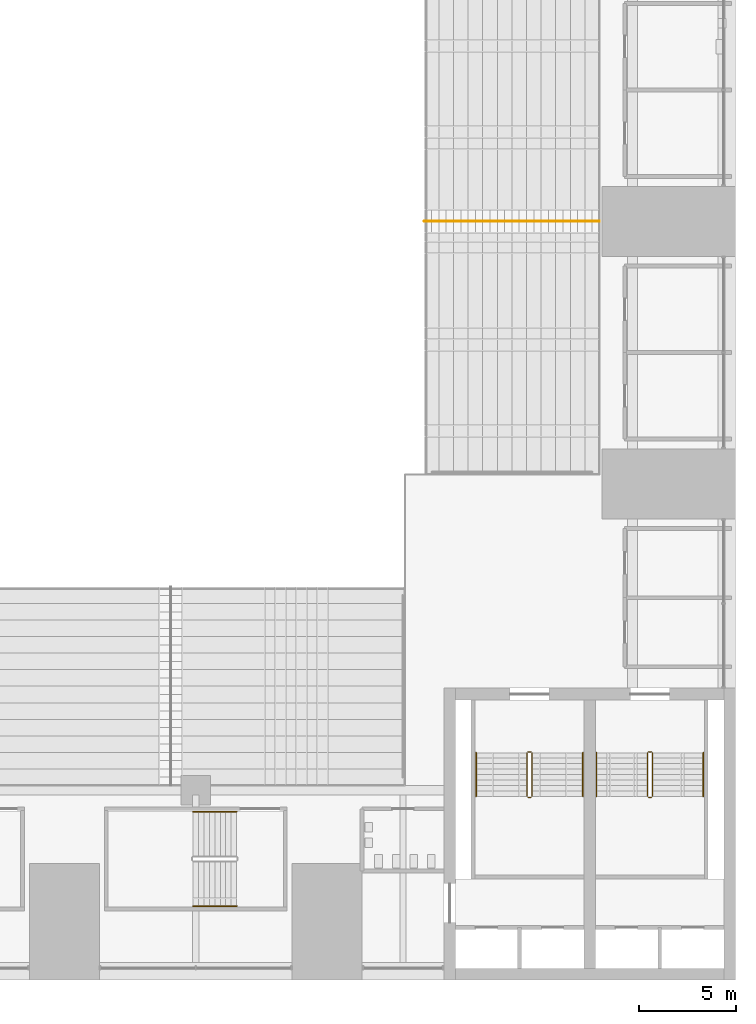
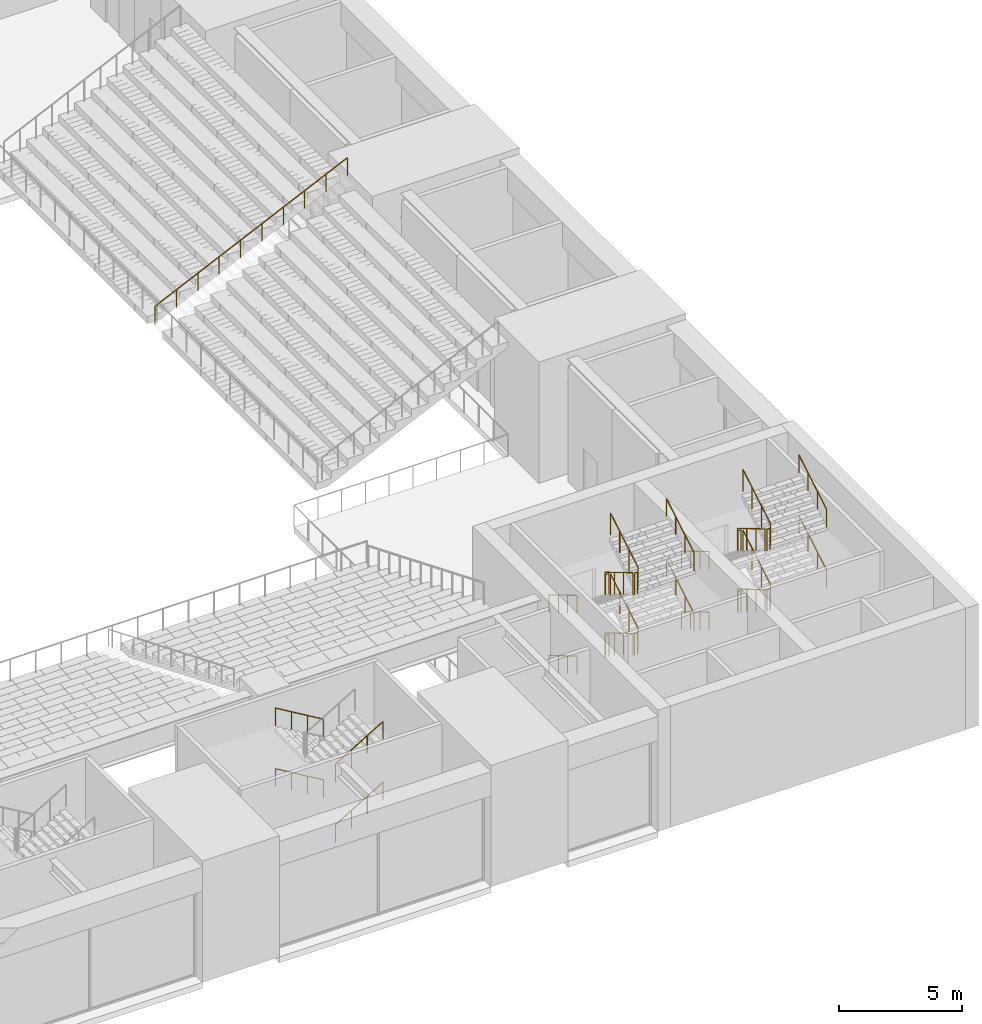
# One storey, part 57 of 61: 6 railings.
"""IFC4 building model written with IfcOpenShell, lengths in metres."""

from ifc_helpers import new_model, si_unit, direction, frame, origin, origin_2d, place, context, subcontext, project, spatial, circle, extrude, material, type_object, element, save


model = new_model("IFC4")

# Units and contexts
model_context = context("Model", 3, precision=1e-05, world=origin(), true_north=direction((0.0, 1.0)))
body_context = subcontext(model_context, "Body", "Model", "MODEL_VIEW")
ifc_project = project(units=[si_unit("LENGTHUNIT", "METRE"), si_unit("AREAUNIT", "SQUARE_METRE"), si_unit("VOLUMEUNIT", "CUBIC_METRE"), si_unit("PLANEANGLEUNIT", "RADIAN"), si_unit("MASSUNIT", "GRAM", prefix="KILO")], contexts=[model_context])

# Site, building, storey
site_placement = place(None, origin())
site = spatial("IfcSite", under=ifc_project, at=site_placement, CompositionType="ELEMENT")
building_placement = place(site_placement, origin())
building = spatial("IfcBuilding", under=site, at=building_placement, Name="Corbelhall Arena Tower", CompositionType="ELEMENT")
storey_placement = place(building_placement, frame((0.0, 0.0, 31.0)))
storey = spatial("IfcBuildingStorey", under=building, at=storey_placement, Name="L04", CompositionType="ELEMENT", Elevation=31.0)

# Railings
ifc_material = material(Name="Stainless steel A4", Category="steel")
railing_type_1 = type_object("IfcRailingType", Name="AR-HANDRAIL-AISLE", PredefinedType="HANDRAIL", material=ifc_material)
railing_1_placement = place(storey_placement, frame((32.0, 0.0, 1.800048828125)))
element("IfcRailing", 1, at=railing_1_placement, inside=storey, type_object=railing_type_1, Name="Aisle handrails UE", PredefinedType="HANDRAIL", context=body_context, shape_type="SweptSolid", body=[
    extrude(circle(Radius=0.02392578125, at=origin_2d()), frame((0.0, 0.0, 0.8759765625), z_axis=(0.906185023996, 0.0, 0.422881428163), x_axis=(0.0, 1.0, 0.0)), (0.0, 0.0, 1.0), 9.931640625),
    extrude(circle(Radius=0.02099609375, at=origin_2d()), origin(), (0.0, 0.0, 1.0), 0.851806640625),
    extrude(circle(Radius=0.02099609375, at=origin_2d()), frame((1.0, 0.0, 0.466552734375)), (0.0, 0.0, 1.0), 0.851806640625),
    extrude(circle(Radius=0.02099609375, at=origin_2d()), frame((2.0, 0.0, 0.933349609375)), (0.0, 0.0, 1.0), 0.851806640625),
    extrude(circle(Radius=0.02099609375, at=origin_2d()), frame((3.0, 0.0, 1.39990234375)), (0.0, 0.0, 1.0), 0.851806640625),
    extrude(circle(Radius=0.02099609375, at=origin_2d()), frame((4.0, 0.0, 1.86669921875)), (0.0, 0.0, 1.0), 0.851806640625),
    extrude(circle(Radius=0.02099609375, at=origin_2d()), frame((5.0, 0.0, 2.333251953125)), (0.0, 0.0, 1.0), 0.851806640625),
    extrude(circle(Radius=0.02099609375, at=origin_2d()), frame((6.0, 0.0, 2.800048828125)), (0.0, 0.0, 1.0), 0.851806640625),
    extrude(circle(Radius=0.02099609375, at=origin_2d()), frame((7.0, 0.0, 3.2666015625)), (0.0, 0.0, 1.0), 0.851806640625),
    extrude(circle(Radius=0.02099609375, at=origin_2d()), frame((8.0, 0.0, 3.7333984375)), (0.0, 0.0, 1.0), 0.851806640625),
    extrude(circle(Radius=0.02099609375, at=origin_2d()), frame((9.0, 0.0, 4.199951171875)), (0.0, 0.0, 1.0), 0.851806640625),
])
railing_type_2 = type_object("IfcRailingType", Name="AR-STAIR-GUARD", PredefinedType="GUARDRAIL", material=ifc_material)
railing_2_placement = place(storey_placement, frame((37.280029296875, -27.320068359375, 0.166748046875)))
element("IfcRailing", 2, at=railing_2_placement, inside=storey, type_object=railing_type_2, Name="L04 AS5 stair guards", PredefinedType="GUARDRAIL", context=body_context, shape_type="SweptSolid", body=[
    extrude(circle(Radius=0.02392578125, at=origin_2d()), frame((0.0, 0.0, 1.076171875), z_axis=(0.0, -0.859305625298, 0.511462454469), x_axis=(1.0, 0.0, 0.0)), (0.0, 0.0, 1.0), 2.606689453125),
    extrude(circle(Radius=0.02392578125, at=origin_2d()), frame((0.050048828125, -2.2900390625, 2.4091796875), z_axis=(1.0, 0.0, 0.0), x_axis=(0.0, 1.0, 0.0)), (0.0, 0.0, 1.0), 0.14990234375),
    extrude(circle(Radius=0.02392578125, at=origin_2d()), frame((0.25, -2.239990234375, 2.576171875), z_axis=(0.0, 0.859305625298, 0.511462454469), x_axis=(-1.0, 0.0, 0.0)), (0.0, 0.0, 1.0), 2.606689453125),
    extrude(circle(Radius=0.02392578125, at=origin_2d()), frame((0.050048828125, 0.050048828125, 3.9091796875), z_axis=(1.0, 0.0, 0.0), x_axis=(0.0, 1.0, 0.0)), (0.0, 0.0, 1.0), 0.14990234375),
    extrude(circle(Radius=0.02392578125, at=origin_2d()), frame((0.0, 0.0, 4.076171875), z_axis=(0.0, -0.859305625298, 0.511462454469), x_axis=(1.0, 0.0, 0.0)), (0.0, 0.0, 1.0), 2.606689453125),
    extrude(circle(Radius=0.02392578125, at=origin_2d()), frame((0.050048828125, -2.2900390625, 5.4091796875), z_axis=(1.0, 0.0, 0.0), x_axis=(0.0, 1.0, 0.0)), (0.0, 0.0, 1.0), 0.14990234375),
    extrude(circle(Radius=0.02392578125, at=origin_2d()), frame((0.25, -2.239990234375, 5.576171875), z_axis=(0.0, 0.859305625298, 0.511462454469), x_axis=(-1.0, 0.0, 0.0)), (0.0, 0.0, 1.0), 2.606689453125),
    extrude(circle(Radius=0.02392578125, at=origin_2d()), frame((0.050048828125, 0.050048828125, 0.9091796875), z_axis=(1.0, 0.0, 0.0), x_axis=(0.0, 1.0, 0.0)), (0.0, 0.0, 1.0), 0.14990234375),
    extrude(circle(Radius=0.02099609375, at=origin_2d()), origin(), (0.0, 0.0, 1.0), 1.052001953125),
    extrude(circle(Radius=0.02099609375, at=origin_2d()), frame((0.0, -0.74658203125, 0.4443359375)), (0.0, 0.0, 1.0), 1.052001953125),
    extrude(circle(Radius=0.02099609375, at=origin_2d()), frame((0.0, -1.493408203125, 0.888916015625)), (0.0, 0.0, 1.0), 1.052001953125),
    extrude(circle(Radius=0.02099609375, at=origin_2d()), frame((0.0, -2.239990234375, 1.333251953125)), (0.0, 0.0, 1.0), 1.052001953125),
    extrude(circle(Radius=0.02099609375, at=origin_2d()), frame((0.050048828125, -2.2900390625, 1.333251953125)), (0.0, 0.0, 1.0), 1.052001953125),
    extrude(circle(Radius=0.02099609375, at=origin_2d()), frame((0.199951171875, -2.2900390625, 1.333251953125)), (0.0, 0.0, 1.0), 1.052001953125),
    extrude(circle(Radius=0.02099609375, at=origin_2d()), frame((0.25, -2.239990234375, 1.5)), (0.0, 0.0, 1.0), 1.052001953125),
    extrude(circle(Radius=0.02099609375, at=origin_2d()), frame((0.25, -1.493408203125, 1.9443359375)), (0.0, 0.0, 1.0), 1.052001953125),
    extrude(circle(Radius=0.02099609375, at=origin_2d()), frame((0.25, -0.74658203125, 2.388916015625)), (0.0, 0.0, 1.0), 1.052001953125),
    extrude(circle(Radius=0.02099609375, at=origin_2d()), frame((0.25, 0.0, 2.833251953125)), (0.0, 0.0, 1.0), 1.052001953125),
    extrude(circle(Radius=0.02099609375, at=origin_2d()), frame((0.050048828125, 0.050048828125, 2.833251953125)), (0.0, 0.0, 1.0), 1.052001953125),
    extrude(circle(Radius=0.02099609375, at=origin_2d()), frame((0.199951171875, 0.050048828125, 2.833251953125)), (0.0, 0.0, 1.0), 1.052001953125),
    extrude(circle(Radius=0.02099609375, at=origin_2d()), frame((0.0, 0.0, 3.0)), (0.0, 0.0, 1.0), 1.052001953125),
    extrude(circle(Radius=0.02099609375, at=origin_2d()), frame((0.0, -0.74658203125, 3.4443359375)), (0.0, 0.0, 1.0), 1.052001953125),
    extrude(circle(Radius=0.02099609375, at=origin_2d()), frame((0.0, -1.493408203125, 3.888916015625)), (0.0, 0.0, 1.0), 1.052001953125),
    extrude(circle(Radius=0.02099609375, at=origin_2d()), frame((0.0, -2.239990234375, 4.333251953125)), (0.0, 0.0, 1.0), 1.052001953125),
    extrude(circle(Radius=0.02099609375, at=origin_2d()), frame((0.050048828125, -2.2900390625, 4.333251953125)), (0.0, 0.0, 1.0), 1.052001953125),
    extrude(circle(Radius=0.02099609375, at=origin_2d()), frame((0.199951171875, -2.2900390625, 4.333251953125)), (0.0, 0.0, 1.0), 1.052001953125),
    extrude(circle(Radius=0.02099609375, at=origin_2d()), frame((0.25, -2.239990234375, 4.5)), (0.0, 0.0, 1.0), 1.052001953125),
    extrude(circle(Radius=0.02099609375, at=origin_2d()), frame((0.25, -1.493408203125, 4.9443359375)), (0.0, 0.0, 1.0), 1.052001953125),
    extrude(circle(Radius=0.02099609375, at=origin_2d()), frame((0.25, -0.74658203125, 5.388916015625)), (0.0, 0.0, 1.0), 1.052001953125),
    extrude(circle(Radius=0.02099609375, at=origin_2d()), frame((0.25, 0.0, 5.833251953125)), (0.0, 0.0, 1.0), 1.052001953125),
    extrude(circle(Radius=0.02099609375, at=origin_2d()), frame((0.050048828125, 0.050048828125, -0.166748046875)), (0.0, 0.0, 1.0), 1.052001953125),
    extrude(circle(Radius=0.02099609375, at=origin_2d()), frame((0.199951171875, 0.050048828125, -0.166748046875)), (0.0, 0.0, 1.0), 1.052001953125),
])
railing_3_placement = place(storey_placement, frame((43.469970703125, -27.320068359375, 0.166748046875)))
element("IfcRailing", 3, at=railing_3_placement, inside=storey, type_object=railing_type_2, Name="L04 AS6 stair guards", PredefinedType="GUARDRAIL", context=body_context, shape_type="SweptSolid", body=[
    extrude(circle(Radius=0.02392578125, at=origin_2d()), frame((0.0, 0.0, 1.076171875), z_axis=(0.0, -0.859305625298, 0.511462454469), x_axis=(1.0, 0.0, 0.0)), (0.0, 0.0, 1.0), 2.606689453125),
    extrude(circle(Radius=0.02392578125, at=origin_2d()), frame((0.050048828125, -2.2900390625, 2.4091796875), z_axis=(1.0, 0.0, 0.0), x_axis=(0.0, 1.0, 0.0)), (0.0, 0.0, 1.0), 0.14990234375),
    extrude(circle(Radius=0.02392578125, at=origin_2d()), frame((0.25, -2.239990234375, 2.576171875), z_axis=(0.0, 0.859305625298, 0.511462454469), x_axis=(-1.0, 0.0, 0.0)), (0.0, 0.0, 1.0), 2.606689453125),
    extrude(circle(Radius=0.02392578125, at=origin_2d()), frame((0.050048828125, 0.050048828125, 3.9091796875), z_axis=(1.0, 0.0, 0.0), x_axis=(0.0, 1.0, 0.0)), (0.0, 0.0, 1.0), 0.14990234375),
    extrude(circle(Radius=0.02392578125, at=origin_2d()), frame((0.0, 0.0, 4.076171875), z_axis=(0.0, -0.859305625298, 0.511462454469), x_axis=(1.0, 0.0, 0.0)), (0.0, 0.0, 1.0), 2.606689453125),
    extrude(circle(Radius=0.02392578125, at=origin_2d()), frame((0.050048828125, -2.2900390625, 5.4091796875), z_axis=(1.0, 0.0, 0.0), x_axis=(0.0, 1.0, 0.0)), (0.0, 0.0, 1.0), 0.14990234375),
    extrude(circle(Radius=0.02392578125, at=origin_2d()), frame((0.25, -2.239990234375, 5.576171875), z_axis=(0.0, 0.859305625298, 0.511462454469), x_axis=(-1.0, 0.0, 0.0)), (0.0, 0.0, 1.0), 2.606689453125),
    extrude(circle(Radius=0.02392578125, at=origin_2d()), frame((0.050048828125, 0.050048828125, 0.9091796875), z_axis=(1.0, 0.0, 0.0), x_axis=(0.0, 1.0, 0.0)), (0.0, 0.0, 1.0), 0.14990234375),
    extrude(circle(Radius=0.02099609375, at=origin_2d()), origin(), (0.0, 0.0, 1.0), 1.052001953125),
    extrude(circle(Radius=0.02099609375, at=origin_2d()), frame((0.0, -0.74658203125, 0.4443359375)), (0.0, 0.0, 1.0), 1.052001953125),
    extrude(circle(Radius=0.02099609375, at=origin_2d()), frame((0.0, -1.493408203125, 0.888916015625)), (0.0, 0.0, 1.0), 1.052001953125),
    extrude(circle(Radius=0.02099609375, at=origin_2d()), frame((0.0, -2.239990234375, 1.333251953125)), (0.0, 0.0, 1.0), 1.052001953125),
    extrude(circle(Radius=0.02099609375, at=origin_2d()), frame((0.050048828125, -2.2900390625, 1.333251953125)), (0.0, 0.0, 1.0), 1.052001953125),
    extrude(circle(Radius=0.02099609375, at=origin_2d()), frame((0.199951171875, -2.2900390625, 1.333251953125)), (0.0, 0.0, 1.0), 1.052001953125),
    extrude(circle(Radius=0.02099609375, at=origin_2d()), frame((0.25, -2.239990234375, 1.5)), (0.0, 0.0, 1.0), 1.052001953125),
    extrude(circle(Radius=0.02099609375, at=origin_2d()), frame((0.25, -1.493408203125, 1.9443359375)), (0.0, 0.0, 1.0), 1.052001953125),
    extrude(circle(Radius=0.02099609375, at=origin_2d()), frame((0.25, -0.74658203125, 2.388916015625)), (0.0, 0.0, 1.0), 1.052001953125),
    extrude(circle(Radius=0.02099609375, at=origin_2d()), frame((0.25, 0.0, 2.833251953125)), (0.0, 0.0, 1.0), 1.052001953125),
    extrude(circle(Radius=0.02099609375, at=origin_2d()), frame((0.050048828125, 0.050048828125, 2.833251953125)), (0.0, 0.0, 1.0), 1.052001953125),
    extrude(circle(Radius=0.02099609375, at=origin_2d()), frame((0.199951171875, 0.050048828125, 2.833251953125)), (0.0, 0.0, 1.0), 1.052001953125),
    extrude(circle(Radius=0.02099609375, at=origin_2d()), frame((0.0, 0.0, 3.0)), (0.0, 0.0, 1.0), 1.052001953125),
    extrude(circle(Radius=0.02099609375, at=origin_2d()), frame((0.0, -0.74658203125, 3.4443359375)), (0.0, 0.0, 1.0), 1.052001953125),
    extrude(circle(Radius=0.02099609375, at=origin_2d()), frame((0.0, -1.493408203125, 3.888916015625)), (0.0, 0.0, 1.0), 1.052001953125),
    extrude(circle(Radius=0.02099609375, at=origin_2d()), frame((0.0, -2.239990234375, 4.333251953125)), (0.0, 0.0, 1.0), 1.052001953125),
    extrude(circle(Radius=0.02099609375, at=origin_2d()), frame((0.050048828125, -2.2900390625, 4.333251953125)), (0.0, 0.0, 1.0), 1.052001953125),
    extrude(circle(Radius=0.02099609375, at=origin_2d()), frame((0.199951171875, -2.2900390625, 4.333251953125)), (0.0, 0.0, 1.0), 1.052001953125),
    extrude(circle(Radius=0.02099609375, at=origin_2d()), frame((0.25, -2.239990234375, 4.5)), (0.0, 0.0, 1.0), 1.052001953125),
    extrude(circle(Radius=0.02099609375, at=origin_2d()), frame((0.25, -1.493408203125, 4.9443359375)), (0.0, 0.0, 1.0), 1.052001953125),
    extrude(circle(Radius=0.02099609375, at=origin_2d()), frame((0.25, -0.74658203125, 5.388916015625)), (0.0, 0.0, 1.0), 1.052001953125),
    extrude(circle(Radius=0.02099609375, at=origin_2d()), frame((0.25, 0.0, 5.833251953125)), (0.0, 0.0, 1.0), 1.052001953125),
    extrude(circle(Radius=0.02099609375, at=origin_2d()), frame((0.050048828125, 0.050048828125, -0.166748046875)), (0.0, 0.0, 1.0), 1.052001953125),
    extrude(circle(Radius=0.02099609375, at=origin_2d()), frame((0.199951171875, 0.050048828125, -0.166748046875)), (0.0, 0.0, 1.0), 1.052001953125),
])
railing_type_3 = type_object("IfcRailingType", Name="AR-STAIR-HANDRAIL", PredefinedType="HANDRAIL", material=ifc_material)
railing_4_placement = place(storey_placement, frame((22.35009765625, -30.35009765625, 0.166748046875)))
element("IfcRailing", 4, at=railing_4_placement, inside=storey, type_object=railing_type_3, Name="L04 AS16 stair handrails", PredefinedType="HANDRAIL", context=body_context, shape_type="SweptSolid", body=[
    extrude(circle(Radius=0.02392578125, at=origin_2d()), frame((0.0, 0.0, 0.8759765625), z_axis=(-0.859305625298, 0.0, 0.511462454469), x_axis=(0.0, -1.0, 0.0)), (0.0, 0.0, 1.0), 2.606689453125),
    extrude(circle(Radius=0.02392578125, at=origin_2d()), frame((-2.239990234375, -4.849853515625, 2.3759765625), z_axis=(0.859305625298, 0.0, 0.511462454469), x_axis=(0.0, 1.0, 0.0)), (0.0, 0.0, 1.0), 2.606689453125),
    extrude(circle(Radius=0.02392578125, at=origin_2d()), frame((0.0, 0.0, 3.8759765625), z_axis=(-0.859305625298, 0.0, 0.511462454469), x_axis=(0.0, -1.0, 0.0)), (0.0, 0.0, 1.0), 2.606689453125),
    extrude(circle(Radius=0.02392578125, at=origin_2d()), frame((-2.239990234375, -4.849853515625, 5.3759765625), z_axis=(0.859305625298, 0.0, 0.511462454469), x_axis=(0.0, 1.0, 0.0)), (0.0, 0.0, 1.0), 2.606689453125),
    extrude(circle(Radius=0.02099609375, at=origin_2d()), origin(), (0.0, 0.0, 1.0), 0.851806640625),
    extrude(circle(Radius=0.02099609375, at=origin_2d()), frame((-0.74658203125, 0.0, 0.4443359375)), (0.0, 0.0, 1.0), 0.851806640625),
    extrude(circle(Radius=0.02099609375, at=origin_2d()), frame((-1.493408203125, 0.0, 0.888916015625)), (0.0, 0.0, 1.0), 0.851806640625),
    extrude(circle(Radius=0.02099609375, at=origin_2d()), frame((-2.239990234375, 0.0, 1.333251953125)), (0.0, 0.0, 1.0), 0.851806640625),
    extrude(circle(Radius=0.02099609375, at=origin_2d()), frame((-2.239990234375, -4.849853515625, 1.5)), (0.0, 0.0, 1.0), 0.851806640625),
    extrude(circle(Radius=0.02099609375, at=origin_2d()), frame((-1.493408203125, -4.849853515625, 1.9443359375)), (0.0, 0.0, 1.0), 0.851806640625),
    extrude(circle(Radius=0.02099609375, at=origin_2d()), frame((-0.74658203125, -4.849853515625, 2.388916015625)), (0.0, 0.0, 1.0), 0.851806640625),
    extrude(circle(Radius=0.02099609375, at=origin_2d()), frame((0.0, -4.849853515625, 2.833251953125)), (0.0, 0.0, 1.0), 0.851806640625),
    extrude(circle(Radius=0.02099609375, at=origin_2d()), frame((0.0, 0.0, 3.0)), (0.0, 0.0, 1.0), 0.851806640625),
    extrude(circle(Radius=0.02099609375, at=origin_2d()), frame((-0.74658203125, 0.0, 3.4443359375)), (0.0, 0.0, 1.0), 0.851806640625),
    extrude(circle(Radius=0.02099609375, at=origin_2d()), frame((-1.493408203125, 0.0, 3.888916015625)), (0.0, 0.0, 1.0), 0.851806640625),
    extrude(circle(Radius=0.02099609375, at=origin_2d()), frame((-2.239990234375, 0.0, 4.333251953125)), (0.0, 0.0, 1.0), 0.851806640625),
    extrude(circle(Radius=0.02099609375, at=origin_2d()), frame((-2.239990234375, -4.849853515625, 4.5)), (0.0, 0.0, 1.0), 0.851806640625),
    extrude(circle(Radius=0.02099609375, at=origin_2d()), frame((-1.493408203125, -4.849853515625, 4.9443359375)), (0.0, 0.0, 1.0), 0.851806640625),
    extrude(circle(Radius=0.02099609375, at=origin_2d()), frame((-0.74658203125, -4.849853515625, 5.388916015625)), (0.0, 0.0, 1.0), 0.851806640625),
    extrude(circle(Radius=0.02099609375, at=origin_2d()), frame((0.0, -4.849853515625, 5.833251953125)), (0.0, 0.0, 1.0), 0.851806640625),
])
railing_5_placement = place(storey_placement, frame((34.659912109375, -27.320068359375, 0.166748046875)))
element("IfcRailing", 5, at=railing_5_placement, inside=storey, type_object=railing_type_3, Name="L04 AS5 stair handrails", PredefinedType="HANDRAIL", context=body_context, shape_type="SweptSolid", body=[
    extrude(circle(Radius=0.02392578125, at=origin_2d()), frame((0.0, 0.0, 0.8759765625), z_axis=(0.0, -0.859305625298, 0.511462454469), x_axis=(1.0, 0.0, 0.0)), (0.0, 0.0, 1.0), 2.606689453125),
    extrude(circle(Radius=0.02392578125, at=origin_2d()), frame((5.489990234375, -2.239990234375, 2.3759765625), z_axis=(0.0, 0.859305625298, 0.511462454469), x_axis=(-1.0, 0.0, 0.0)), (0.0, 0.0, 1.0), 2.606689453125),
    extrude(circle(Radius=0.02392578125, at=origin_2d()), frame((0.0, 0.0, 3.8759765625), z_axis=(0.0, -0.859305625298, 0.511462454469), x_axis=(1.0, 0.0, 0.0)), (0.0, 0.0, 1.0), 2.606689453125),
    extrude(circle(Radius=0.02392578125, at=origin_2d()), frame((5.489990234375, -2.239990234375, 5.3759765625), z_axis=(0.0, 0.859305625298, 0.511462454469), x_axis=(-1.0, 0.0, 0.0)), (0.0, 0.0, 1.0), 2.606689453125),
    extrude(circle(Radius=0.02099609375, at=origin_2d()), origin(), (0.0, 0.0, 1.0), 0.851806640625),
    extrude(circle(Radius=0.02099609375, at=origin_2d()), frame((0.0, -0.74658203125, 0.4443359375)), (0.0, 0.0, 1.0), 0.851806640625),
    extrude(circle(Radius=0.02099609375, at=origin_2d()), frame((0.0, -1.493408203125, 0.888916015625)), (0.0, 0.0, 1.0), 0.851806640625),
    extrude(circle(Radius=0.02099609375, at=origin_2d()), frame((0.0, -2.239990234375, 1.333251953125)), (0.0, 0.0, 1.0), 0.851806640625),
    extrude(circle(Radius=0.02099609375, at=origin_2d()), frame((5.489990234375, -2.239990234375, 1.5)), (0.0, 0.0, 1.0), 0.851806640625),
    extrude(circle(Radius=0.02099609375, at=origin_2d()), frame((5.489990234375, -1.493408203125, 1.9443359375)), (0.0, 0.0, 1.0), 0.851806640625),
    extrude(circle(Radius=0.02099609375, at=origin_2d()), frame((5.489990234375, -0.74658203125, 2.388916015625)), (0.0, 0.0, 1.0), 0.851806640625),
    extrude(circle(Radius=0.02099609375, at=origin_2d()), frame((5.489990234375, 0.0, 2.833251953125)), (0.0, 0.0, 1.0), 0.851806640625),
    extrude(circle(Radius=0.02099609375, at=origin_2d()), frame((0.0, 0.0, 3.0)), (0.0, 0.0, 1.0), 0.851806640625),
    extrude(circle(Radius=0.02099609375, at=origin_2d()), frame((0.0, -0.74658203125, 3.4443359375)), (0.0, 0.0, 1.0), 0.851806640625),
    extrude(circle(Radius=0.02099609375, at=origin_2d()), frame((0.0, -1.493408203125, 3.888916015625)), (0.0, 0.0, 1.0), 0.851806640625),
    extrude(circle(Radius=0.02099609375, at=origin_2d()), frame((0.0, -2.239990234375, 4.333251953125)), (0.0, 0.0, 1.0), 0.851806640625),
    extrude(circle(Radius=0.02099609375, at=origin_2d()), frame((5.489990234375, -2.239990234375, 4.5)), (0.0, 0.0, 1.0), 0.851806640625),
    extrude(circle(Radius=0.02099609375, at=origin_2d()), frame((5.489990234375, -1.493408203125, 4.9443359375)), (0.0, 0.0, 1.0), 0.851806640625),
    extrude(circle(Radius=0.02099609375, at=origin_2d()), frame((5.489990234375, -0.74658203125, 5.388916015625)), (0.0, 0.0, 1.0), 0.851806640625),
    extrude(circle(Radius=0.02099609375, at=origin_2d()), frame((5.489990234375, 0.0, 5.833251953125)), (0.0, 0.0, 1.0), 0.851806640625),
])
railing_6_placement = place(storey_placement, frame((40.85009765625, -27.320068359375, 0.166748046875)))
element("IfcRailing", 6, at=railing_6_placement, inside=storey, type_object=railing_type_3, Name="L04 AS6 stair handrails", PredefinedType="HANDRAIL", context=body_context, shape_type="SweptSolid", body=[
    extrude(circle(Radius=0.02392578125, at=origin_2d()), frame((0.0, 0.0, 0.8759765625), z_axis=(0.0, -0.859305625298, 0.511462454469), x_axis=(1.0, 0.0, 0.0)), (0.0, 0.0, 1.0), 2.606689453125),
    extrude(circle(Radius=0.02392578125, at=origin_2d()), frame((5.489990234375, -2.239990234375, 2.3759765625), z_axis=(0.0, 0.859305625298, 0.511462454469), x_axis=(-1.0, 0.0, 0.0)), (0.0, 0.0, 1.0), 2.606689453125),
    extrude(circle(Radius=0.02392578125, at=origin_2d()), frame((0.0, 0.0, 3.8759765625), z_axis=(0.0, -0.859305625298, 0.511462454469), x_axis=(1.0, 0.0, 0.0)), (0.0, 0.0, 1.0), 2.606689453125),
    extrude(circle(Radius=0.02392578125, at=origin_2d()), frame((5.489990234375, -2.239990234375, 5.3759765625), z_axis=(0.0, 0.859305625298, 0.511462454469), x_axis=(-1.0, 0.0, 0.0)), (0.0, 0.0, 1.0), 2.606689453125),
    extrude(circle(Radius=0.02099609375, at=origin_2d()), origin(), (0.0, 0.0, 1.0), 0.851806640625),
    extrude(circle(Radius=0.02099609375, at=origin_2d()), frame((0.0, -0.74658203125, 0.4443359375)), (0.0, 0.0, 1.0), 0.851806640625),
    extrude(circle(Radius=0.02099609375, at=origin_2d()), frame((0.0, -1.493408203125, 0.888916015625)), (0.0, 0.0, 1.0), 0.851806640625),
    extrude(circle(Radius=0.02099609375, at=origin_2d()), frame((0.0, -2.239990234375, 1.333251953125)), (0.0, 0.0, 1.0), 0.851806640625),
    extrude(circle(Radius=0.02099609375, at=origin_2d()), frame((5.489990234375, -2.239990234375, 1.5)), (0.0, 0.0, 1.0), 0.851806640625),
    extrude(circle(Radius=0.02099609375, at=origin_2d()), frame((5.489990234375, -1.493408203125, 1.9443359375)), (0.0, 0.0, 1.0), 0.851806640625),
    extrude(circle(Radius=0.02099609375, at=origin_2d()), frame((5.489990234375, -0.74658203125, 2.388916015625)), (0.0, 0.0, 1.0), 0.851806640625),
    extrude(circle(Radius=0.02099609375, at=origin_2d()), frame((5.489990234375, 0.0, 2.833251953125)), (0.0, 0.0, 1.0), 0.851806640625),
    extrude(circle(Radius=0.02099609375, at=origin_2d()), frame((0.0, 0.0, 3.0)), (0.0, 0.0, 1.0), 0.851806640625),
    extrude(circle(Radius=0.02099609375, at=origin_2d()), frame((0.0, -0.74658203125, 3.4443359375)), (0.0, 0.0, 1.0), 0.851806640625),
    extrude(circle(Radius=0.02099609375, at=origin_2d()), frame((0.0, -1.493408203125, 3.888916015625)), (0.0, 0.0, 1.0), 0.851806640625),
    extrude(circle(Radius=0.02099609375, at=origin_2d()), frame((0.0, -2.239990234375, 4.333251953125)), (0.0, 0.0, 1.0), 0.851806640625),
    extrude(circle(Radius=0.02099609375, at=origin_2d()), frame((5.489990234375, -2.239990234375, 4.5)), (0.0, 0.0, 1.0), 0.851806640625),
    extrude(circle(Radius=0.02099609375, at=origin_2d()), frame((5.489990234375, -1.493408203125, 4.9443359375)), (0.0, 0.0, 1.0), 0.851806640625),
    extrude(circle(Radius=0.02099609375, at=origin_2d()), frame((5.489990234375, -0.74658203125, 5.388916015625)), (0.0, 0.0, 1.0), 0.851806640625),
    extrude(circle(Radius=0.02099609375, at=origin_2d()), frame((5.489990234375, 0.0, 5.833251953125)), (0.0, 0.0, 1.0), 0.851806640625),
])

save(model, "model.ifc")
